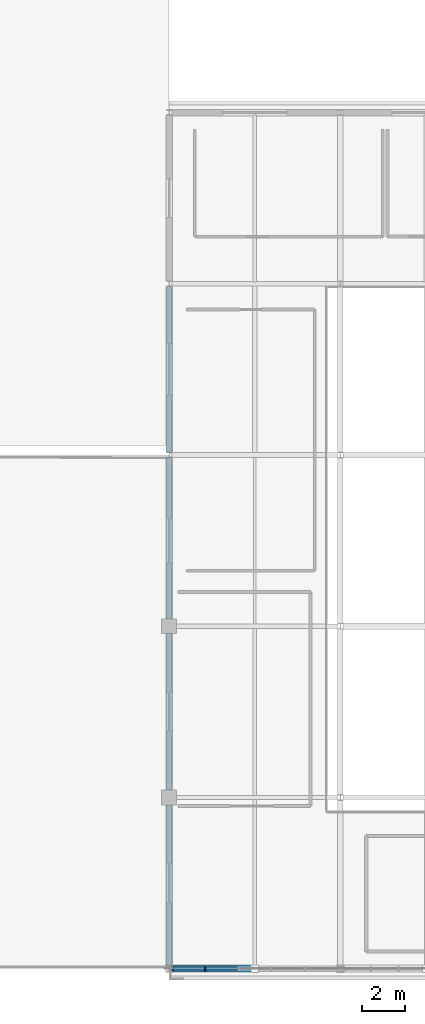
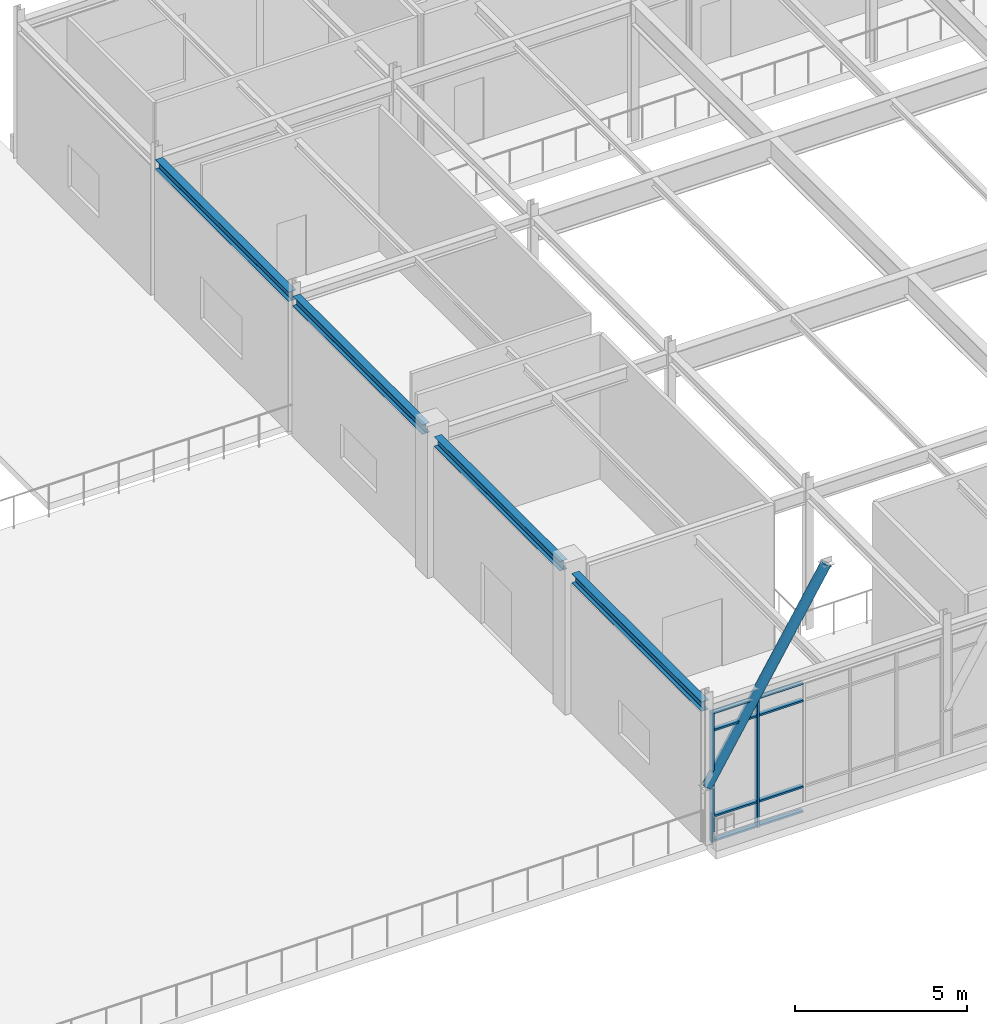
# One storey, part 35 of 108: 11 members, 4 beams, 1 element without a shape of its own.
"""IFC4 building model written with IfcOpenShell, lengths in metres."""

import ifcopenshell
import ifcopenshell.guid

model = None  # the IFC model being written
_history = None  # IfcOwnerHistory: only IFC2X3 demands one
_inside = {}  # id of a spatial element -> (the spatial element, [elements in it])
_under = {}  # id of a project, library or spatial element -> (it, [spatial elements below it])
_declared = {}  # id of a project -> (the project, [libraries it declares])
_typed = {}  # id of a type object -> (the type object, [elements of that type])
_made_of = {}  # id of a material, layer set ... -> (it, [elements and type objects made of it])


def new_model(schema):
    """Start an empty IFC model of exactly this schema.

    Asked for "IFC4X3", IfcOpenShell would pick the latest addendum, in which some entities
    have other attributes; the version numbers below select the first issue.
    IFC2X3 requires an IfcOwnerHistory on every rooted entity: one is made here for all.
    """
    global model, _history
    if schema == "IFC4X3":
        model = ifcopenshell.file(schema_version=(4, 3, 0, 0))
    else:
        model = ifcopenshell.file(schema=schema)
    _inside.clear()
    _under.clear()
    _declared.clear()
    _typed.clear()
    _made_of.clear()
    _history = None
    if model.schema == "IFC2X3":
        org = make("IfcOrganization", Name="unknown")
        user = make(
            "IfcPersonAndOrganization",
            ThePerson=make("IfcPerson", FamilyName="unknown"),
            TheOrganization=org,
        )
        app = make(
            "IfcApplication",
            ApplicationDeveloper=org,
            Version="unknown",
            ApplicationFullName="unknown",
            ApplicationIdentifier="unknown",
        )
        _history = make(
            "IfcOwnerHistory",
            OwningUser=user,
            OwningApplication=app,
            ChangeAction="ADDED",
            CreationDate=0,
        )
    return model


def make(cls, **values):
    """One entity of the class cls with the attributes given. An attribute that is None is left unset."""
    return model.create_entity(
        cls, **{name: value for name, value in values.items() if value is not None}
    )


def rooted(cls, **values):
    """An entity with a GlobalId (a new one), such as an element, a storey or a relation."""
    return make(cls, GlobalId=ifcopenshell.guid.new(), OwnerHistory=_history, **values)


def si_unit(unit_type, name, prefix=None):
    """IfcSIUnit, for example si_unit("LENGTHUNIT", "METRE", prefix="MILLI")."""
    return make("IfcSIUnit", UnitType=unit_type, Prefix=prefix, Name=name)


def assignment(units):
    """IfcUnitAssignment: the units of a project."""
    return None if units is None else make("IfcUnitAssignment", Units=units)


def point(xyz):
    """IfcCartesianPoint."""
    return None if xyz is None else make("IfcCartesianPoint", Coordinates=xyz)


def direction(xyz):
    """IfcDirection."""
    return None if xyz is None else make("IfcDirection", DirectionRatios=xyz)


def frame(location, z_axis=None, x_axis=None):
    """IfcAxis2Placement3D, a coordinate frame: its origin and axes. An axis left out is left unset."""
    return make(
        "IfcAxis2Placement3D",
        Location=point(location),
        Axis=direction(z_axis),
        RefDirection=direction(x_axis),
    )


def frame_2d(location, x_axis=None):
    """IfcAxis2Placement2D, a coordinate frame in the plane: its origin and x axis."""
    return make(
        "IfcAxis2Placement2D", Location=point(location), RefDirection=direction(x_axis)
    )


def origin():
    """The frame at (0, 0, 0) with its axes left unset."""
    return frame((0.0, 0.0, 0.0))


def origin_2d():
    """The frame at (0, 0) in the plane with its x axis left unset."""
    return frame_2d((0.0, 0.0))


def place(relative_to, where):
    """IfcLocalPlacement: puts the frame where relative to a parent placement (None: the world)."""
    return make(
        "IfcLocalPlacement", PlacementRelTo=relative_to, RelativePlacement=where
    )


def context(
    kind, dimensions, precision=None, world=None, true_north=None, identifier=None
):
    """IfcGeometricRepresentationContext, for example the 3D "Model" context."""
    return make(
        "IfcGeometricRepresentationContext",
        ContextIdentifier=identifier,
        ContextType=kind,
        CoordinateSpaceDimension=dimensions,
        Precision=precision,
        WorldCoordinateSystem=world,
        TrueNorth=true_north,
    )


def subcontext(parent, identifier, kind, view, scale=None):
    """IfcGeometricRepresentationSubContext, for example "Body" below "Model"."""
    return make(
        "IfcGeometricRepresentationSubContext",
        ContextIdentifier=identifier,
        ContextType=kind,
        ParentContext=parent,
        TargetScale=scale,
        TargetView=view,
    )


def project(units=None, contexts=None):
    """IfcProject with its units and contexts."""
    return rooted(
        "IfcProject",
        Name="project",
        RepresentationContexts=contexts,
        UnitsInContext=assignment(units),
    )


def spatial(cls, under=None, at=None, **own):
    """A site, building, storey or space (cls), placed at a placement, below another one or the project."""
    s = rooted(cls, ObjectPlacement=at, **own)
    if under is not None:
        _under.setdefault(under.id(), (under, []))[1].append(s)
    return s


def profile(cls, at=None, kind="AREA", **sizes):
    """A parametric profile (cls). Its sizes go by their IFC names, for example OverallWidth=200.0."""
    return make(cls, ProfileType=kind, Position=at, **sizes)


def rectangle(**sizes):
    """IfcRectangleProfileDef."""
    return profile("IfcRectangleProfileDef", **sizes)


def hollow_circle(**sizes):
    """IfcCircleHollowProfileDef."""
    return profile("IfcCircleHollowProfileDef", **sizes)


def i_section(**sizes):
    """IfcIShapeProfileDef."""
    return profile("IfcIShapeProfileDef", **sizes)


def extrude(swept, where, along, depth):
    """IfcExtrudedAreaSolid: the profile swept, set in the frame where, extruded along a direction by depth."""
    return make(
        "IfcExtrudedAreaSolid",
        SweptArea=swept,
        Position=where,
        ExtrudedDirection=direction(along),
        Depth=depth,
    )


def shape(context_of_items, identifier, shape_type, items):
    """IfcShapeRepresentation: the items that make up one representation, for example the "Body"."""
    return make(
        "IfcShapeRepresentation",
        ContextOfItems=context_of_items,
        RepresentationIdentifier=identifier,
        RepresentationType=shape_type,
        Items=items,
    )


def material(Name=None, Category=None):
    """IfcMaterial."""
    return make("IfcMaterial", Name=Name, Category=Category)


def material_profile(
    of_material, cross_section, Name=None, Category=None, Priority=None
):
    """IfcMaterialProfile: a cross section and its material."""
    return make(
        "IfcMaterialProfile",
        Name=Name,
        Material=of_material,
        Profile=cross_section,
        Priority=Priority,
        Category=Category,
    )


def profile_set(profiles, Name=None, composite=None):
    """IfcMaterialProfileSet."""
    return make(
        "IfcMaterialProfileSet",
        Name=Name,
        MaterialProfiles=profiles,
        CompositeProfile=composite,
    )


def made_of(thing, what):
    """Note that an element or type object is made of a material, layer set ...; save() writes the relation."""
    if what is not None:
        _made_of.setdefault(what.id(), (what, []))[1].append(thing)
    return thing


def type_object(cls, material=None, **own):
    """A type object (cls), such as IfcWallType, which elements share."""
    return made_of(rooted(cls, **own), material)


def element(
    cls,
    number,
    at=None,
    inside=None,
    cuts=None,
    type_object=None,
    material=None,
    context=None,
    identifier="Body",
    shape_type=None,
    held_by="IfcProductDefinitionShape",
    body=None,
    shapes=None,
    **own,
):
    """One element of the class cls, such as IfcWall. Its Tag is "e" and its number.

    at: its placement. inside: the storey or other place that contains it. cuts: it is an
    opening in that element (IfcRelVoidsElement). A single representation is given by context,
    identifier, shape_type and body (its items); several are given by shapes. held_by: the class
    of the entity that holds the representations. save() writes the other relations.
    """
    e = rooted(cls, Tag="e%d" % number, ObjectPlacement=at, **own)
    if body is not None:
        shapes = [shape(context, identifier, shape_type, body)]
    if shapes is not None:
        e.Representation = make(held_by, Representations=shapes)
    if inside is not None:
        _inside.setdefault(inside.id(), (inside, []))[1].append(e)
    if cuts is not None:
        rooted(
            "IfcRelVoidsElement", RelatingBuildingElement=cuts, RelatedOpeningElement=e
        )
    if type_object is not None:
        _typed.setdefault(type_object.id(), (type_object, []))[1].append(e)
    return made_of(e, material)


def aggregate(whole, parts):
    """IfcRelAggregates: a whole, such as a stair, and the parts it consists of."""
    return rooted("IfcRelAggregates", RelatingObject=whole, RelatedObjects=parts)


def save(model, path):
    """Write the relations noted so far, then the file.

    IfcRelAggregates (storeys below a building ...), IfcRelContainedInSpatialStructure (elements
    in a storey), IfcRelDefinesByType, IfcRelAssociatesMaterial and IfcRelDeclares: one each for
    every whole, place, type object, material and project.
    """
    for whole, parts in _under.values():
        aggregate(whole, parts)
    for where, things in _inside.values():
        rooted(
            "IfcRelContainedInSpatialStructure",
            RelatedElements=things,
            RelatingStructure=where,
        )
    for kind, things in _typed.values():
        rooted("IfcRelDefinesByType", RelatedObjects=things, RelatingType=kind)
    for what, things in _made_of.values():
        rooted("IfcRelAssociatesMaterial", RelatedObjects=things, RelatingMaterial=what)
    for by, libraries in _declared.values():
        rooted("IfcRelDeclares", RelatingContext=by, RelatedDefinitions=libraries)
    model.write(path)


model = new_model("IFC4")

# Units and contexts
model_context = context("Model", 3, precision=1e-05, world=origin(), true_north=direction((0.0, 1.0)))
body_context = subcontext(model_context, "Body", "Model", "MODEL_VIEW")
ifc_project = project(units=[si_unit("LENGTHUNIT", "METRE"), si_unit("AREAUNIT", "SQUARE_METRE"), si_unit("VOLUMEUNIT", "CUBIC_METRE"), si_unit("PLANEANGLEUNIT", "RADIAN"), si_unit("MASSUNIT", "GRAM", prefix="KILO")], contexts=[model_context])

# Site, building, storey
site_placement = place(None, origin())
site = spatial("IfcSite", under=ifc_project, at=site_placement, CompositionType="ELEMENT")
building_placement = place(site_placement, origin())
building = spatial("IfcBuilding", under=site, at=building_placement, Name="Zhaolan Boulevard Law Courts", CompositionType="ELEMENT")
storey_placement = place(building_placement, frame((0.0, 0.0, 10.800048828125)))
storey = spatial("IfcBuildingStorey", under=building, at=storey_placement, Name="L02", CompositionType="ELEMENT", Elevation=10.800048828125)

# Curtain wall, members
ifc_material_1 = material(Name="Thermally broken aluminium and low-E glazing", Category="aluminium")
curtain_wall_type = type_object("IfcCurtainWallType", Name="CURTAIN WALL M10", PredefinedType="USERDEFINED", material=ifc_material_1)
curtain_wall_placement = place(storey_placement, origin())
curtain_wall = element("IfcCurtainWall", 1, at=curtain_wall_placement, inside=storey, type_object=curtain_wall_type, Name="Curtain Wall CW-L02-082", ObjectType="CURTAIN WALL", PredefinedType="USERDEFINED")
ifc_material_2 = material(Name="Fluorocarbon-coated aluminium 6063-T6", Category="aluminium")
ifc_material_profile_1 = material_profile(ifc_material_2, rectangle(XDim=0.179931640625, YDim=0.06494140625, at=origin_2d()), Name="AL65x180")
ifc_profile_set_1 = profile_set([ifc_material_profile_1], Name="Fluorocarbon-coated aluminium 6063-T6")
member_type_1 = type_object("IfcMemberType", Name="CWMULLION 65X180", PredefinedType="MULLION", material=ifc_profile_set_1)
member_1_placement = place(storey_placement, frame((124.159423828125, 6.0, 0.0), z_axis=(0.0, 0.0, 1.0), x_axis=(0.0, 1.0, 0.0)))
member_1 = element("IfcMember", 2, at=member_1_placement, type_object=member_type_1, Name="CW-L02-082 mullion 1", PredefinedType="MULLION", context=body_context, shape_type="SweptSolid", body=[
    extrude(rectangle(XDim=0.179931640625, YDim=0.06494140625, at=origin_2d()), origin(), (0.0, 0.0, 1.0), 4.60302734375),
])
member_2_placement = place(storey_placement, frame((125.67626953125, 6.0, 0.0), z_axis=(0.0, 0.0, 1.0), x_axis=(0.0, 1.0, 0.0)))
member_2 = element("IfcMember", 3, at=member_2_placement, type_object=member_type_1, Name="CW-L02-082 mullion 2", PredefinedType="MULLION", context=body_context, shape_type="SweptSolid", body=[
    extrude(rectangle(XDim=0.179931640625, YDim=0.06494140625, at=origin_2d()), origin(), (0.0, 0.0, 1.0), 4.60302734375),
])
ifc_material_3 = material(Name="Fluorocarbon-coated aluminium 6063-T6", Category="aluminium")
ifc_material_profile_2 = material_profile(ifc_material_3, rectangle(XDim=0.139892578125, YDim=0.06494140625, at=origin_2d()), Name="AL65x140")
ifc_profile_set_2 = profile_set([ifc_material_profile_2], Name="Fluorocarbon-coated aluminium 6063-T6")
member_type_2 = type_object("IfcMemberType", Name="CWTRANSOM 65X140", PredefinedType="USERDEFINED", material=ifc_profile_set_2)
member_3_placement = place(storey_placement, frame((124.19189453125, 6.0, 0.032470703125), z_axis=(1.0, 0.0, 0.0), x_axis=(0.0, 1.0, 0.0)))
member_3 = element("IfcMember", 4, at=member_3_placement, type_object=member_type_2, Name="CW-L02-082 transom 1.1", ObjectType="TRANSOM", PredefinedType="USERDEFINED", context=body_context, shape_type="SweptSolid", body=[
    extrude(rectangle(XDim=0.139892578125, YDim=0.06494140625, at=origin_2d()), origin(), (0.0, 0.0, 1.0), 1.451904296875),
])
member_4_placement = place(storey_placement, frame((124.19189453125, 6.0, 0.89990234375), z_axis=(1.0, 0.0, 0.0), x_axis=(0.0, 1.0, 0.0)))
member_4 = element("IfcMember", 5, at=member_4_placement, type_object=member_type_2, Name="CW-L02-082 transom 1.2", ObjectType="TRANSOM", PredefinedType="USERDEFINED", context=body_context, shape_type="SweptSolid", body=[
    extrude(rectangle(XDim=0.139892578125, YDim=0.06494140625, at=origin_2d()), origin(), (0.0, 0.0, 1.0), 1.451904296875),
])
member_5_placement = place(storey_placement, frame((124.19189453125, 6.0, 3.952880859375), z_axis=(1.0, 0.0, 0.0), x_axis=(0.0, 1.0, 0.0)))
member_5 = element("IfcMember", 6, at=member_5_placement, type_object=member_type_2, Name="CW-L02-082 transom 1.3", ObjectType="TRANSOM", PredefinedType="USERDEFINED", context=body_context, shape_type="SweptSolid", body=[
    extrude(rectangle(XDim=0.139892578125, YDim=0.06494140625, at=origin_2d()), origin(), (0.0, 0.0, 1.0), 1.451904296875),
])
member_6_placement = place(storey_placement, frame((124.19189453125, 6.0, 4.570556640625), z_axis=(1.0, 0.0, 0.0), x_axis=(0.0, 1.0, 0.0)))
member_6 = element("IfcMember", 7, at=member_6_placement, type_object=member_type_2, Name="CW-L02-082 transom 1.4", ObjectType="TRANSOM", PredefinedType="USERDEFINED", context=body_context, shape_type="SweptSolid", body=[
    extrude(rectangle(XDim=0.139892578125, YDim=0.06494140625, at=origin_2d()), origin(), (0.0, 0.0, 1.0), 1.451904296875),
])
member_7_placement = place(storey_placement, frame((125.708740234375, 6.0, 0.032470703125), z_axis=(1.0, 0.0, 0.0), x_axis=(0.0, 1.0, 0.0)))
member_7 = element("IfcMember", 8, at=member_7_placement, type_object=member_type_2, Name="CW-L02-082 transom 2.1", ObjectType="TRANSOM", PredefinedType="USERDEFINED", context=body_context, shape_type="SweptSolid", body=[
    extrude(rectangle(XDim=0.139892578125, YDim=0.06494140625, at=origin_2d()), origin(), (0.0, 0.0, 1.0), 1.484130859375),
])
member_8_placement = place(storey_placement, frame((125.708740234375, 6.0, 0.89990234375), z_axis=(1.0, 0.0, 0.0), x_axis=(0.0, 1.0, 0.0)))
member_8 = element("IfcMember", 9, at=member_8_placement, type_object=member_type_2, Name="CW-L02-082 transom 2.2", ObjectType="TRANSOM", PredefinedType="USERDEFINED", context=body_context, shape_type="SweptSolid", body=[
    extrude(rectangle(XDim=0.139892578125, YDim=0.06494140625, at=origin_2d()), origin(), (0.0, 0.0, 1.0), 1.484130859375),
])
member_9_placement = place(storey_placement, frame((125.708740234375, 6.0, 3.952880859375), z_axis=(1.0, 0.0, 0.0), x_axis=(0.0, 1.0, 0.0)))
member_9 = element("IfcMember", 10, at=member_9_placement, type_object=member_type_2, Name="CW-L02-082 transom 2.3", ObjectType="TRANSOM", PredefinedType="USERDEFINED", context=body_context, shape_type="SweptSolid", body=[
    extrude(rectangle(XDim=0.139892578125, YDim=0.06494140625, at=origin_2d()), origin(), (0.0, 0.0, 1.0), 1.484130859375),
])
member_10_placement = place(storey_placement, frame((125.708740234375, 6.0, 4.570556640625), z_axis=(1.0, 0.0, 0.0), x_axis=(0.0, 1.0, 0.0)))
member_10 = element("IfcMember", 11, at=member_10_placement, type_object=member_type_2, Name="CW-L02-082 transom 2.4", ObjectType="TRANSOM", PredefinedType="USERDEFINED", context=body_context, shape_type="SweptSolid", body=[
    extrude(rectangle(XDim=0.139892578125, YDim=0.06494140625, at=origin_2d()), origin(), (0.0, 0.0, 1.0), 1.484130859375),
])
aggregate(curtain_wall, [member_1, member_2, member_3, member_4, member_5, member_6, member_7, member_8, member_9, member_10])

# Beams
ifc_material_4 = material(Name="Structural steel Q355B", Category="steel")
ifc_material_profile_3 = material_profile(ifc_material_4, i_section(OverallWidth=0.25, OverallDepth=0.340087890625, WebThickness=0.009033203125, FlangeThickness=0.013916015625, FilletRadius=0.01611328125, at=origin_2d()), Name="HM340x250")
ifc_profile_set_3 = profile_set([ifc_material_profile_3], Name="Structural steel Q355B")
beam_type = type_object("IfcBeamType", Name="GIRDER HM340", PredefinedType="BEAM", material=ifc_profile_set_3)
beam_1_placement = place(storey_placement, frame((124.0, 6.12109375, 4.787841796875), z_axis=(0.0, 1.0, 0.0), x_axis=(-1.0, 0.0, 0.0)))
element("IfcBeam", 12, at=beam_1_placement, inside=storey, type_object=beam_type, Name="Beam BY-L03-16-B-C", PredefinedType="BEAM", context=body_context, shape_type="SweptSolid", body=[
    extrude(i_section(OverallWidth=0.25, OverallDepth=0.340087890625, WebThickness=0.009033203125, FlangeThickness=0.013916015625, FilletRadius=0.01611328125, at=origin_2d()), origin(), (0.0, 0.0, 1.0), 7.532958984375),
])
beam_2_placement = place(storey_placement, frame((124.0, 14.345947265625, 4.787841796875), z_axis=(0.0, 1.0, 0.0), x_axis=(-1.0, 0.0, 0.0)))
element("IfcBeam", 13, at=beam_2_placement, inside=storey, type_object=beam_type, Name="Beam BY-L03-16-C-D", PredefinedType="BEAM", context=body_context, shape_type="SweptSolid", body=[
    extrude(i_section(OverallWidth=0.25, OverallDepth=0.340087890625, WebThickness=0.009033203125, FlangeThickness=0.013916015625, FilletRadius=0.01611328125, at=origin_2d()), origin(), (0.0, 0.0, 1.0), 7.30810546875),
])
beam_3_placement = place(storey_placement, frame((124.0, 22.345947265625, 4.787841796875), z_axis=(0.0, 1.0, 0.0), x_axis=(-1.0, 0.0, 0.0)))
element("IfcBeam", 14, at=beam_3_placement, inside=storey, type_object=beam_type, Name="Beam BY-L03-16-D-E", PredefinedType="BEAM", context=body_context, shape_type="SweptSolid", body=[
    extrude(i_section(OverallWidth=0.25, OverallDepth=0.340087890625, WebThickness=0.009033203125, FlangeThickness=0.013916015625, FilletRadius=0.01611328125, at=origin_2d()), origin(), (0.0, 0.0, 1.0), 7.532958984375),
])
beam_4_placement = place(storey_placement, frame((124.0, 30.12109375, 4.787841796875), z_axis=(0.0, 1.0, 0.0), x_axis=(-1.0, 0.0, 0.0)))
element("IfcBeam", 15, at=beam_4_placement, inside=storey, type_object=beam_type, Name="Beam BY-L03-16-E-F", PredefinedType="BEAM", context=body_context, shape_type="SweptSolid", body=[
    extrude(i_section(OverallWidth=0.25, OverallDepth=0.340087890625, WebThickness=0.009033203125, FlangeThickness=0.013916015625, FilletRadius=0.01611328125, at=origin_2d()), origin(), (0.0, 0.0, 1.0), 7.7578125),
])

# Member
ifc_material_5 = material(Name="Structural steel Q390B", Category="steel")
ifc_material_profile_4 = material_profile(ifc_material_5, hollow_circle(Radius=0.16259765625, WallThickness=0.011962890625, at=origin_2d()), Name="CHS325x12")
ifc_profile_set_4 = profile_set([ifc_material_profile_4], Name="Structural steel Q390B")
member_type_3 = type_object("IfcMemberType", Name="RAFTER CHS325", PredefinedType="RAFTER", material=ifc_profile_set_4)
member_11_placement = place(storey_placement, frame((124.0, 6.0, 2.0), z_axis=(0.52292874166, 0.0, 0.852376402269), x_axis=(0.0, 1.0, 0.0)))
element("IfcMember", 16, at=member_11_placement, inside=storey, type_object=member_type_3, Name="Folded-Plate Eave Strut FPS-1", PredefinedType="RAFTER", context=body_context, shape_type="SweptSolid", body=[
    extrude(hollow_circle(Radius=0.16259765625, WallThickness=0.011962890625, at=origin_2d()), origin(), (0.0, 0.0, 1.0), 7.649169921875),
])

save(model, "model.ifc")
